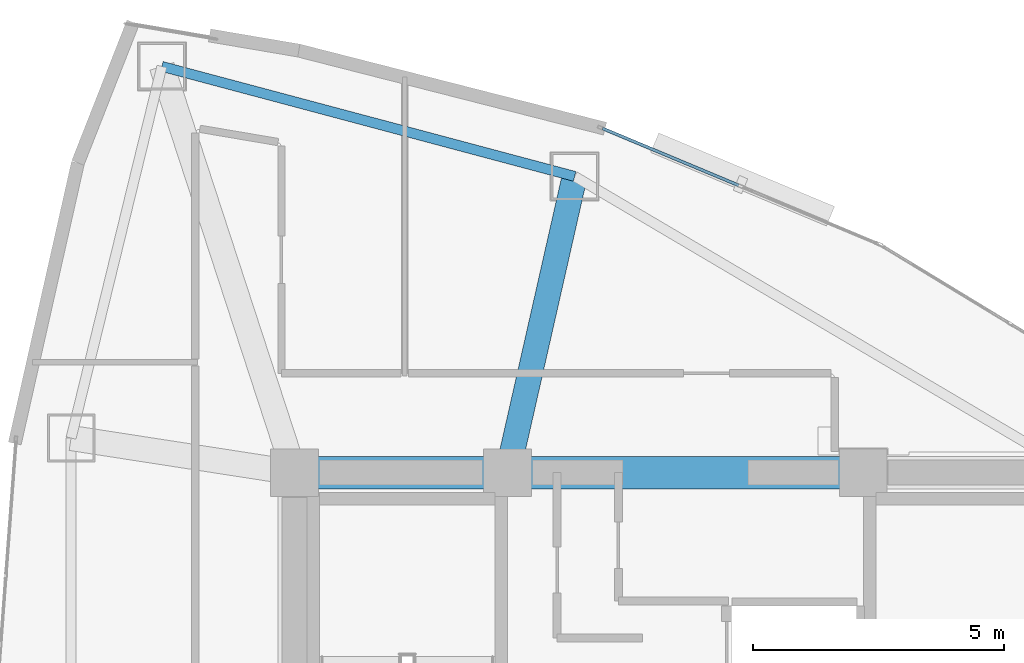
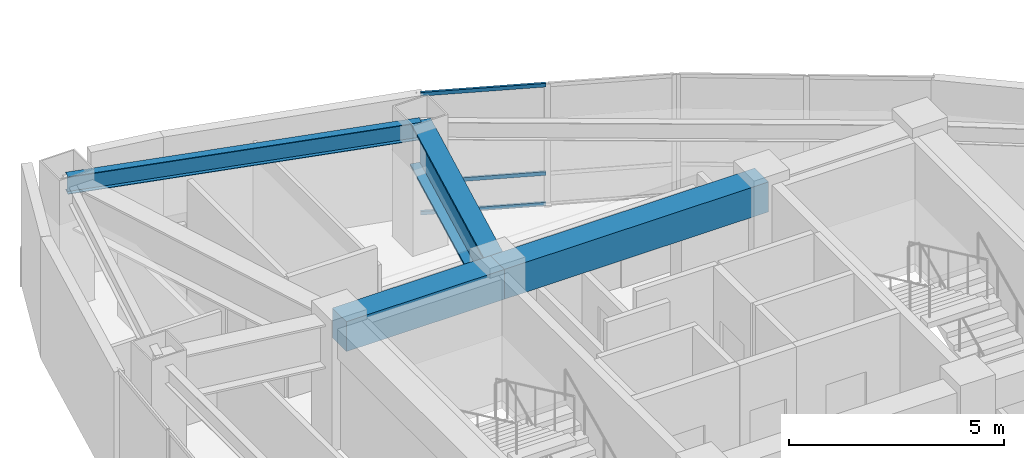
# One storey, part 8 of 15: 4 beams, 3 members, 1 element without a shape of its own.
"""IFC4 building model written with IfcOpenShell, lengths in metres."""

from ifc_helpers import new_model, si_unit, direction, frame, origin, origin_2d, place, context, subcontext, project, spatial, rectangle, hollow_rectangle, i_section, extrude, material, layer, layer_set, material_profile, profile_set, type_object, element, aggregate, save


model = new_model("IFC4")

# Units and contexts
model_context = context("Model", 3, precision=1e-05, world=origin(), true_north=direction((0.0, 1.0)))
body_context = subcontext(model_context, "Body", "Model", "MODEL_VIEW")
ifc_project = project(units=[si_unit("LENGTHUNIT", "METRE"), si_unit("AREAUNIT", "SQUARE_METRE"), si_unit("VOLUMEUNIT", "CUBIC_METRE"), si_unit("PLANEANGLEUNIT", "RADIAN"), si_unit("MASSUNIT", "GRAM", prefix="KILO")], contexts=[model_context])

# Site, building, storey
site_placement = place(None, origin())
site = spatial("IfcSite", under=ifc_project, at=site_placement, CompositionType="ELEMENT")
building_placement = place(site_placement, origin())
building = spatial("IfcBuilding", under=site, at=building_placement, Name="Menara Vayukalpa", CompositionType="ELEMENT")
storey_placement = place(building_placement, frame((0.0, 0.0, 230.699951171875)))
storey = spatial("IfcBuildingStorey", under=building, at=storey_placement, Name="L58", CompositionType="ELEMENT", Elevation=230.699951171875)

# Beams
ifc_material_1 = material(Name="Concrete C60/75", Category="concrete")
ifc_material_profile_1 = material_profile(ifc_material_1, rectangle(XDim=0.64990234375, YDim=0.85009765625, at=origin_2d()), Name="RC 650x850")
ifc_profile_set_1 = profile_set([ifc_material_profile_1], Name="Concrete C60/75")
beam_type_1 = type_object("IfcBeamType", Name="BM-CB1", PredefinedType="BEAM", material=ifc_profile_set_1)
beam_1_placement = place(storey_placement, frame((17.800048828125, 26.800048828125, 3.01513671875), z_axis=(1.0, 0.0, 0.0), x_axis=(0.0, 1.0, 0.0)))
element("IfcBeam", 1, at=beam_1_placement, inside=storey, type_object=beam_type_1, Name="L58 Core Tie Beam CBR4", PredefinedType="BEAM", context=body_context, shape_type="SweptSolid", body=[
    extrude(rectangle(XDim=0.64990234375, YDim=0.85009765625, at=origin_2d()), origin(), (0.0, 0.0, 1.0), 4.25),
])
beam_2_placement = place(storey_placement, frame((22.050048828125, 26.800048828125, 3.01513671875), z_axis=(1.0, 0.0, 0.0), x_axis=(0.0, 1.0, 0.0)))
element("IfcBeam", 2, at=beam_2_placement, inside=storey, type_object=beam_type_1, Name="L58 Core Tie Beam CBR5", PredefinedType="BEAM", context=body_context, shape_type="SweptSolid", body=[
    extrude(rectangle(XDim=0.64990234375, YDim=0.85009765625, at=origin_2d()), origin(), (0.0, 0.0, 1.0), 7.099853515625),
])
ifc_material_2 = material(Name="Steel S355", Category="steel")
ifc_material_profile_2 = material_profile(ifc_material_2, i_section(OverallWidth=0.199951171875, OverallDepth=0.5, WebThickness=0.010009765625, FlangeThickness=0.01611328125, at=origin_2d()), Name="WF 500x200x10x16")
ifc_profile_set_2 = profile_set([ifc_material_profile_2], Name="Steel S355")
beam_type_2 = type_object("IfcBeamType", Name="BM-SP3", PredefinedType="SPANDREL", material=ifc_profile_set_2)
beam_3_placement = place(storey_placement, frame((23.389404296875, 32.70849609375, 3.18994140625), z_axis=(-0.966287699272, 0.25746472037, 0.0), x_axis=(-0.25746472037, -0.966287699272, 0.0)))
element("IfcBeam", 3, at=beam_3_placement, inside=storey, type_object=beam_type_2, Name="L58 Perimeter Spandrel Beam SP03", PredefinedType="SPANDREL", context=body_context, shape_type="SweptSolid", body=[
    extrude(i_section(OverallWidth=0.199951171875, OverallDepth=0.5, WebThickness=0.010009765625, FlangeThickness=0.01611328125, at=origin_2d()), origin(), (0.0, 0.0, 1.0), 8.52197265625),
])
ifc_material_3 = material(Name="Steel S460", Category="steel")
ifc_material_profile_3 = material_profile(ifc_material_3, i_section(OverallWidth=0.5, OverallDepth=1.25, WebThickness=0.028076171875, FlangeThickness=0.054931640625, at=origin_2d()), Name="WG 1250x500x28x55")
ifc_profile_set_3 = profile_set([ifc_material_profile_3], Name="Steel S460")
beam_type_3 = type_object("IfcBeamType", Name="BM-TG2", PredefinedType="BEAM", material=ifc_profile_set_3)
beam_4_placement = place(storey_placement, frame((22.105224609375, 27.043701171875, 2.81494140625), z_axis=(0.221085149161, 0.975254508741, 0.0), x_axis=(-0.975254508741, 0.221085149161, 0.0)))
element("IfcBeam", 4, at=beam_4_placement, inside=storey, type_object=beam_type_3, Name="L58 Primary Radial Girder RG03", PredefinedType="BEAM", context=body_context, shape_type="SweptSolid", body=[
    extrude(i_section(OverallWidth=0.5, OverallDepth=1.25, WebThickness=0.028076171875, FlangeThickness=0.054931640625, at=origin_2d()), origin(), (0.0, 0.0, 1.0), 5.80859375),
])

# Curtain wall, members
ifc_material_4 = material(Name="Anodised Terracotta Aluminium Alloy 6063-T6", Category="masonry")
ifc_layer = layer(ifc_material_4, 0.139892578125)
ifc_layer_set = layer_set([ifc_layer], Name="Anodised Terracotta Aluminium Alloy 6063-T6")
curtain_wall_type = type_object("IfcCurtainWallType", Name="CW-CW5", PredefinedType="USERDEFINED", material=ifc_layer_set)
curtain_wall_placement = place(storey_placement, origin())
curtain_wall = element("IfcCurtainWall", 5, at=curtain_wall_placement, inside=storey, type_object=curtain_wall_type, Name="L58 High Rise Tapered Curtain Wall CW5 05", ObjectType="UNITISED", PredefinedType="USERDEFINED")
ifc_material_5 = material(Name="Anodised Terracotta Aluminium Alloy 6063-T6", Category="masonry")
ifc_material_profile_4 = material_profile(ifc_material_5, hollow_rectangle(XDim=0.06005859375, YDim=0.10498046875, WallThickness=0.0029296875, at=origin_2d()), Name="ALU 60x105x3")
ifc_profile_set_4 = profile_set([ifc_material_profile_4], Name="Anodised Terracotta Aluminium Alloy 6063-T6")
member_type = type_object("IfcMemberType", Name="CWT-CW5", PredefinedType="USERDEFINED", material=ifc_profile_set_4)
member_1_placement = place(storey_placement, frame((26.658447265625, 32.530029296875, 0.030029296875), z_axis=(-0.922543360613, 0.385893440976, 0.0), x_axis=(-0.385893440976, -0.922543360613, 0.0)))
member_1 = element("IfcMember", 6, at=member_1_placement, type_object=member_type, Name="CW5 transom 2.1", ObjectType="TRANSOM", PredefinedType="USERDEFINED", context=body_context, shape_type="SweptSolid", body=[
    extrude(hollow_rectangle(XDim=0.06005859375, YDim=0.10498046875, WallThickness=0.0029296875, at=origin_2d()), origin(), (0.0, 0.0, 1.0), 2.942626953125),
])
member_2_placement = place(storey_placement, frame((26.658447265625, 32.530029296875, 0.900146484375), z_axis=(-0.922543360613, 0.385893440976, 0.0), x_axis=(-0.385893440976, -0.922543360613, 0.0)))
member_2 = element("IfcMember", 7, at=member_2_placement, type_object=member_type, Name="CW5 transom 2.2", ObjectType="TRANSOM", PredefinedType="USERDEFINED", context=body_context, shape_type="SweptSolid", body=[
    extrude(hollow_rectangle(XDim=0.06005859375, YDim=0.10498046875, WallThickness=0.0029296875, at=origin_2d()), origin(), (0.0, 0.0, 1.0), 2.942626953125),
])
member_3_placement = place(storey_placement, frame((26.658447265625, 32.530029296875, 3.41015625), z_axis=(-0.922543360613, 0.385893440976, 0.0), x_axis=(-0.385893440976, -0.922543360613, 0.0)))
member_3 = element("IfcMember", 8, at=member_3_placement, type_object=member_type, Name="CW5 transom 2.3", ObjectType="TRANSOM", PredefinedType="USERDEFINED", context=body_context, shape_type="SweptSolid", body=[
    extrude(hollow_rectangle(XDim=0.06005859375, YDim=0.10498046875, WallThickness=0.0029296875, at=origin_2d()), origin(), (0.0, 0.0, 1.0), 2.942626953125),
])
aggregate(curtain_wall, [member_1, member_2, member_3])

save(model, "model.ifc")
